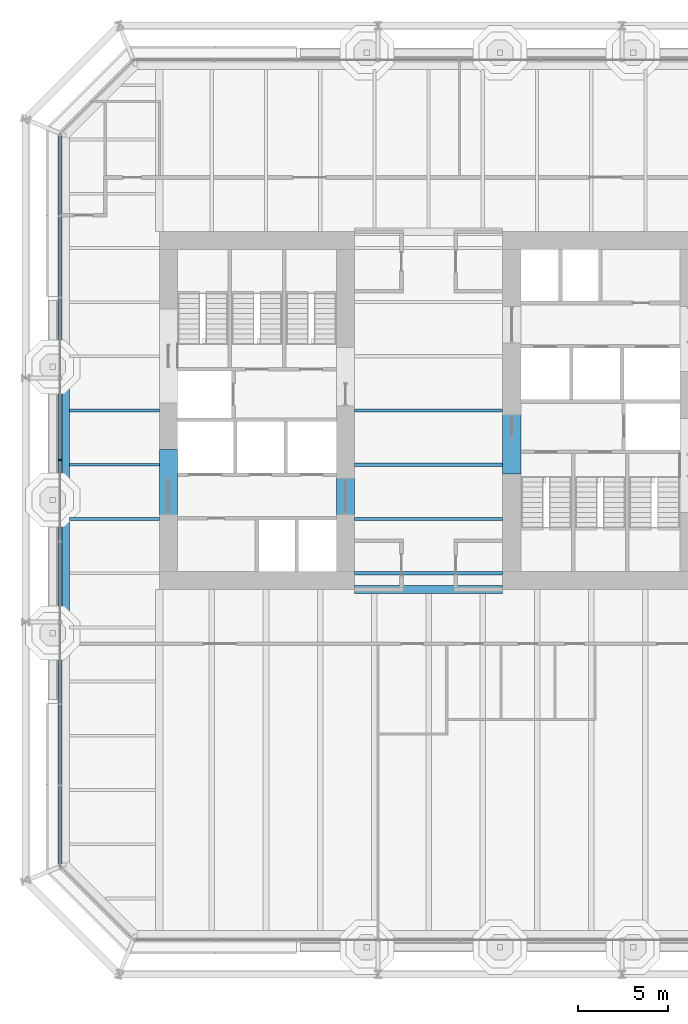
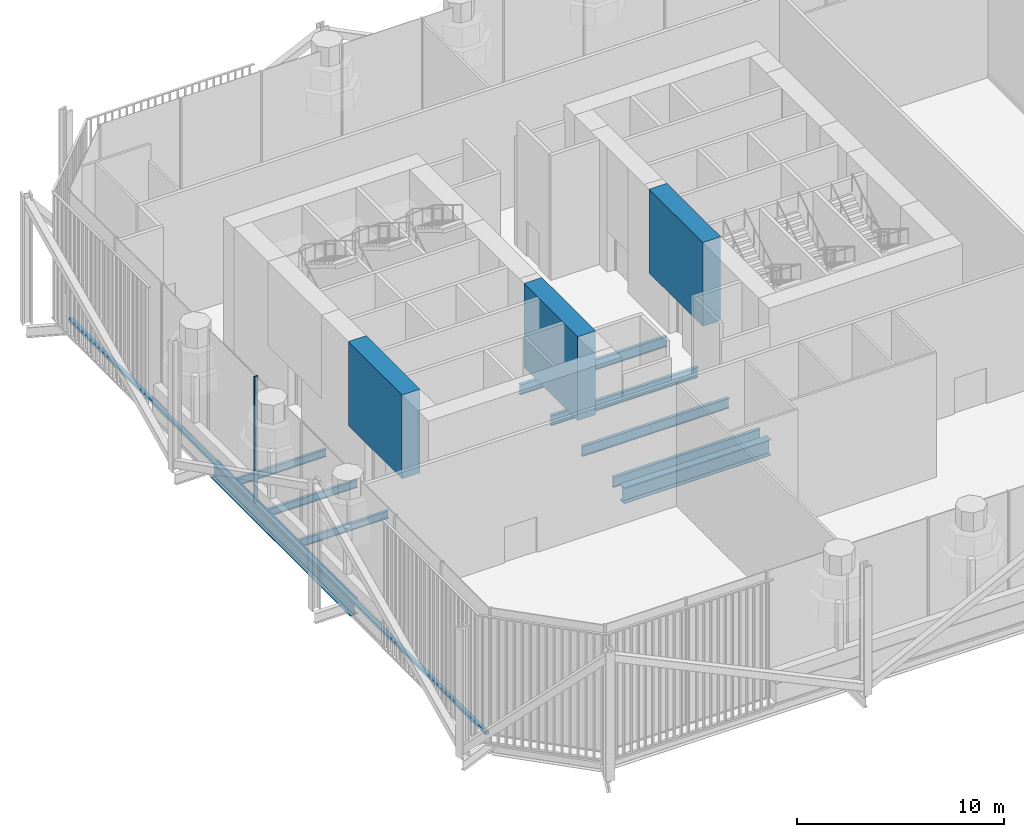
# One storey, part 5 of 18: 12 beams, 2 members, 1 element without a shape of its own.
"""IFC4 building model written with IfcOpenShell, lengths in metres."""

from ifc_helpers import new_model, si_unit, direction, frame, origin, origin_2d, place, context, subcontext, project, spatial, rectangle, i_section, extrude, material, layer, layer_set, material_profile, profile_set, type_object, element, aggregate, save


model = new_model("IFC4")

# Units and contexts
model_context = context("Model", 3, precision=1e-05, world=origin(), true_north=direction((0.0, 1.0)))
body_context = subcontext(model_context, "Body", "Model", "MODEL_VIEW")
ifc_project = project(units=[si_unit("LENGTHUNIT", "METRE"), si_unit("AREAUNIT", "SQUARE_METRE"), si_unit("VOLUMEUNIT", "CUBIC_METRE"), si_unit("PLANEANGLEUNIT", "RADIAN"), si_unit("MASSUNIT", "GRAM", prefix="KILO")], contexts=[model_context])

# Site, building, storey
site_placement = place(None, origin())
site = spatial("IfcSite", under=ifc_project, at=site_placement, CompositionType="ELEMENT")
building_placement = place(site_placement, origin())
building = spatial("IfcBuilding", under=site, at=building_placement, Name="Millrace Tower", CompositionType="ELEMENT")
storey_placement = place(building_placement, frame((0.0, 0.0, 112.800048828125)))
storey = spatial("IfcBuildingStorey", under=building, at=storey_placement, Name="L25", CompositionType="ELEMENT", Elevation=112.800048828125)

# Curtain wall, members
ifc_material_1 = material(Name="Aluminium and glass", Category="aluminium")
ifc_layer = layer(ifc_material_1, 0.199951171875)
ifc_layer_set = layer_set([ifc_layer], Name="Aluminium and glass")
curtain_wall_type = type_object("IfcCurtainWallType", Name="CW-4 sky garden winter glazing", PredefinedType="NOTDEFINED", material=ifc_layer_set)
curtain_wall_placement = place(storey_placement, origin())
curtain_wall = element("IfcCurtainWall", 1, at=curtain_wall_placement, inside=storey, type_object=curtain_wall_type, Name="Curtain wall B-F08 L25", PredefinedType="NOTDEFINED")
ifc_material_2 = material(Name="Aluminium", Category="aluminium")
ifc_material_profile_1 = material_profile(ifc_material_2, rectangle(XDim=0.080078125, YDim=0.199951171875, at=origin_2d()))
ifc_profile_set_1 = profile_set([ifc_material_profile_1], Name="Aluminium")
member_type_1 = type_object("IfcMemberType", Name="CW-4 sky garden winter glazing mullion", PredefinedType="MULLION", material=ifc_profile_set_1)
member_1_placement = place(storey_placement, frame((-20.39990234375, -2.739990234375, 0.179931640625), z_axis=(0.0, 0.0, 1.0), x_axis=(0.0, -1.0, 0.0)))
member_1 = element("IfcMember", 2, at=member_1_placement, type_object=member_type_1, Name="CW4 mullion B-F08.5", PredefinedType="MULLION", context=body_context, shape_type="SweptSolid", body=[
    extrude(rectangle(XDim=0.080078125, YDim=0.199951171875, at=origin_2d()), origin(), (0.0, 0.0, 1.0), 7.419921875),
])
ifc_material_3 = material(Name="Aluminium", Category="aluminium")
ifc_material_profile_2 = material_profile(ifc_material_3, rectangle(XDim=0.199951171875, YDim=0.179931640625, at=origin_2d()))
ifc_profile_set_2 = profile_set([ifc_material_profile_2], Name="Aluminium")
member_type_2 = type_object("IfcMemberType", Name="CW-4 sky garden winter glazing transom", PredefinedType="USERDEFINED", material=ifc_profile_set_2)
member_2_placement = place(storey_placement, frame((-20.39990234375, 15.199951171875, 0.08984375), z_axis=(0.0, -1.0, 0.0), x_axis=(1.0, 0.0, 0.0)))
member_2 = element("IfcMember", 3, at=member_2_placement, type_object=member_type_2, Name="CW4 transom B-F08.1", ObjectType="TRANSOM", PredefinedType="USERDEFINED", context=body_context, shape_type="SweptSolid", body=[
    extrude(rectangle(XDim=0.199951171875, YDim=0.179931640625, at=origin_2d()), origin(), (0.0, 0.0, 1.0), 40.300048828125),
])
aggregate(curtain_wall, [member_1, member_2])

# Beams
ifc_material_4 = material(Name="Concrete C80", Category="concrete")
ifc_material_profile_3 = material_profile(ifc_material_4, rectangle(XDim=1.0, YDim=4.949951171875, at=origin_2d()))
ifc_profile_set_3 = profile_set([ifc_material_profile_3], Name="Concrete C80")
beam_type_1 = type_object("IfcBeamType", Name="Coupling beam 1000 x 4950 Concrete C80, 1300 opening", PredefinedType="BEAM", material=ifc_profile_set_3)
beam_1_placement = place(storey_placement, frame((4.60009765625, 1.69873046875, 4.875), z_axis=(0.0, -1.0, 0.0), x_axis=(1.0, 0.0, 0.0)))
element("IfcBeam", 4, at=beam_1_placement, inside=storey, type_object=beam_type_1, Name="Coupling beam E L25", PredefinedType="BEAM", context=body_context, shape_type="SweptSolid", body=[
    extrude(rectangle(XDim=1.0, YDim=4.949951171875, at=origin_2d()), origin(), (0.0, 0.0, 1.0), 5.197509765625),
])
ifc_material_5 = material(Name="Concrete C80", Category="concrete")
ifc_material_profile_4 = material_profile(ifc_material_5, rectangle(XDim=1.0, YDim=4.949951171875, at=origin_2d()))
ifc_profile_set_4 = profile_set([ifc_material_profile_4], Name="Concrete C80")
beam_type_2 = type_object("IfcBeamType", Name="Coupling beam 1000 x 4950 Concrete C80, 2000 opening", PredefinedType="BEAM", material=ifc_profile_set_4)
for number, where, z_axis, x_axis, name in (
    (5, (-14.39990234375, -7.348876953125, 4.875), (0.0, 1.0, 0.0), (-1.0, 0.0, 0.0), "Coupling beam W L25"),
    (6, (-4.60009765625, -7.348876953125, 4.875), (0.0, 1.0, 0.0), (-1.0, 0.0, 0.0), "Coupling beam W L25"),
):
    element("IfcBeam", number, at=place(storey_placement, frame(where, z_axis=z_axis, x_axis=x_axis)), inside=storey, type_object=beam_type_2, Name=name, PredefinedType="BEAM", context=body_context, shape_type="SweptSolid", body=[
        extrude(rectangle(XDim=1.0, YDim=4.949951171875, at=origin_2d()), origin(), (0.0, 0.0, 1.0), 5.19775390625),
    ])
ifc_material_6 = material(Name="Steel ASTM A992 Grade 50", Category="steel")
ifc_material_profile_5 = material_profile(ifc_material_6, i_section(OverallWidth=0.15234375, OverallDepth=0.449462890625, WebThickness=0.007568359375, FlangeThickness=0.0107421875, FilletRadius=0.01025390625, at=origin_2d()))
ifc_profile_set_5 = profile_set([ifc_material_profile_5], Name="Steel ASTM A992 Grade 50")
beam_type_3 = type_object("IfcBeamType", Name="Floor beam W18x35", PredefinedType="JOIST", material=ifc_profile_set_5)
for number, where, z_axis, x_axis, name in (
    (7, (-19.880859375, -6.0, -0.474853515625), (1.0, 0.0, 0.0), (0.0, 1.0, 0.0), "BM-B-L25-S1-S017"),
    (8, (-19.880859375, -3.0, -0.474853515625), (1.0, 0.0, 0.0), (0.0, 1.0, 0.0), "BM-B-L25-S1-S020"),
    (9, (-19.880859375, 0.0, -0.474853515625), (1.0, 0.0, 0.0), (0.0, 1.0, 0.0), "BM-B-L25-S1-S023"),
):
    element("IfcBeam", number, at=place(storey_placement, frame(where, z_axis=z_axis, x_axis=x_axis)), inside=storey, type_object=beam_type_3, Name=name, PredefinedType="JOIST", context=body_context, shape_type="SweptSolid", body=[
        extrude(i_section(OverallWidth=0.15234375, OverallDepth=0.449462890625, WebThickness=0.007568359375, FlangeThickness=0.0107421875, FilletRadius=0.01025390625, at=origin_2d()), origin(), (0.0, 0.0, 1.0), 4.98095703125),
    ])
ifc_material_7 = material(Name="Steel ASTM A992 Grade 50", Category="steel")
ifc_material_profile_6 = material_profile(ifc_material_7, i_section(OverallWidth=0.177978515625, OverallDepth=0.599365234375, WebThickness=0.010009765625, FlangeThickness=0.012939453125, FilletRadius=0.012939453125, at=origin_2d()))
ifc_profile_set_6 = profile_set([ifc_material_profile_6], Name="Steel ASTM A992 Grade 50")
beam_type_4 = type_object("IfcBeamType", Name="Floor beam W24x55", PredefinedType="JOIST", material=ifc_profile_set_6)
for number, where, z_axis, x_axis, name in (
    (10, (-4.10009765625, -9.0, -0.5498046875), (1.0, 0.0, 0.0), (0.0, 1.0, 0.0), "BM-B-L25-S1-S013"),
    (11, (-4.10009765625, -6.0, -0.5498046875), (1.0, 0.0, 0.0), (0.0, 1.0, 0.0), "BM-B-L25-S1-S016"),
    (12, (-4.10009765625, -3.0, -0.5498046875), (1.0, 0.0, 0.0), (0.0, 1.0, 0.0), "BM-B-L25-S1-S019"),
    (13, (-4.10009765625, 0.0, -0.5498046875), (1.0, 0.0, 0.0), (0.0, 1.0, 0.0), "BM-B-L25-S1-S022"),
):
    element("IfcBeam", number, at=place(storey_placement, frame(where, z_axis=z_axis, x_axis=x_axis)), inside=storey, type_object=beam_type_4, Name=name, PredefinedType="JOIST", context=body_context, shape_type="SweptSolid", body=[
        extrude(i_section(OverallWidth=0.177978515625, OverallDepth=0.599365234375, WebThickness=0.010009765625, FlangeThickness=0.012939453125, FilletRadius=0.012939453125, at=origin_2d()), origin(), (0.0, 0.0, 1.0), 8.2001953125),
    ])
ifc_material_8 = material(Name="Steel ASTM A992 Grade 50", Category="steel")
ifc_material_profile_7 = material_profile(ifc_material_8, i_section(OverallWidth=0.421630859375, OverallDepth=0.937255859375, WebThickness=0.021240234375, FlangeThickness=0.03662109375, FilletRadius=0.024169921875, at=origin_2d()))
ifc_profile_set_7 = profile_set([ifc_material_profile_7], Name="Steel ASTM A992 Grade 50")
beam_type_5 = type_object("IfcBeamType", Name="Girder short span W36x262", PredefinedType="BEAM", material=ifc_profile_set_7)
beam_2_placement = place(storey_placement, frame((-4.10009765625, -9.89990234375, -0.71875), z_axis=(1.0, 0.0, 0.0), x_axis=(0.0, 1.0, 0.0)))
element("IfcBeam", 14, at=beam_2_placement, inside=storey, type_object=beam_type_5, Name="BM-B-L25-S1-G063", PredefinedType="BEAM", context=body_context, shape_type="SweptSolid", body=[
    extrude(i_section(OverallWidth=0.421630859375, OverallDepth=0.937255859375, WebThickness=0.021240234375, FlangeThickness=0.03662109375, FilletRadius=0.024169921875, at=origin_2d()), origin(), (0.0, 0.0, 1.0), 8.2001953125),
])
ifc_material_9 = material(Name="Steel ASTM A992 Grade 50", Category="steel")
ifc_material_profile_8 = material_profile(ifc_material_9, i_section(OverallWidth=0.419189453125, OverallDepth=0.927001953125, WebThickness=0.019287109375, FlangeThickness=0.031982421875, FilletRadius=0.024169921875, at=origin_2d()))
ifc_profile_set_8 = profile_set([ifc_material_profile_8], Name="Steel ASTM A992 Grade 50")
beam_type_6 = type_object("IfcBeamType", Name="Ring beam medium span W36x231", PredefinedType="SPANDREL", material=ifc_profile_set_8)
beam_3_placement = place(storey_placement, frame((-20.09033203125, -11.699951171875, -0.713623046875), z_axis=(0.0, 1.0, 0.0), x_axis=(-1.0, 0.0, 0.0)))
element("IfcBeam", 15, at=beam_3_placement, inside=storey, type_object=beam_type_6, Name="RNG-B-L25-S1-02", PredefinedType="SPANDREL", context=body_context, shape_type="SweptSolid", body=[
    extrude(i_section(OverallWidth=0.419189453125, OverallDepth=0.927001953125, WebThickness=0.019287109375, FlangeThickness=0.031982421875, FilletRadius=0.024169921875, at=origin_2d()), origin(), (0.0, 0.0, 1.0), 13.5),
])

save(model, "model.ifc")
